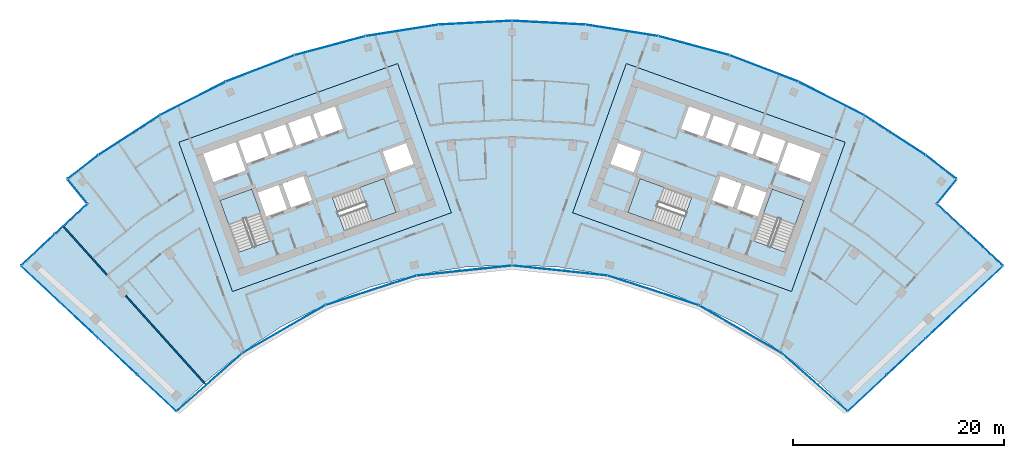
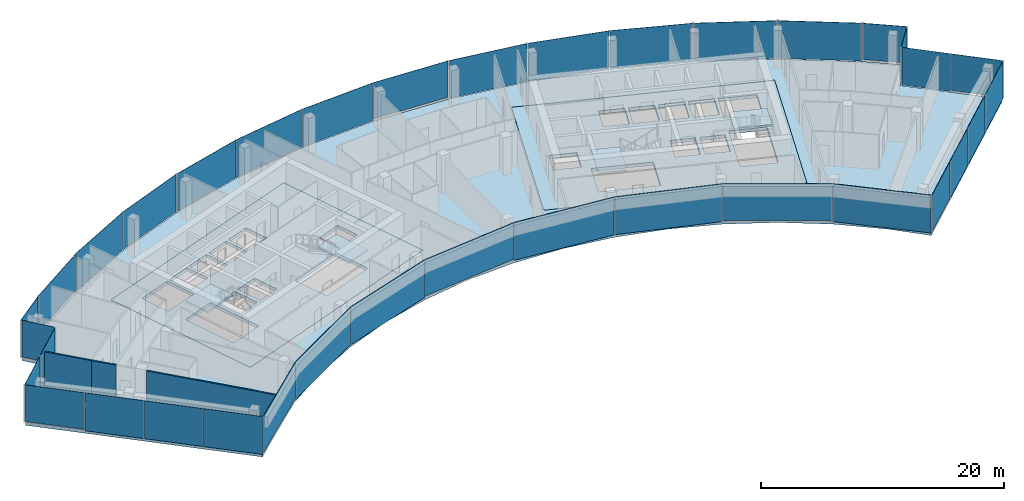
# One storey, part 11 of 18: 36 plates, 7 slabs, 3 walls, 12 elements without a shape of their own.
"""IFC4 building model written with IfcOpenShell, lengths in metres."""

from ifc_helpers import new_model, si_unit, direction, frame, frame_2d, origin, origin_2d, place, context, subcontext, project, spatial, polyline, rectangle, outline, extrude, material, layer, layer_set, type_object, element, aggregate, save


model = new_model("IFC4")

# Units and contexts
model_context = context("Model", 3, precision=1e-05, world=origin(), true_north=direction((0.0, 1.0)))
body_context = subcontext(model_context, "Body", "Model", "MODEL_VIEW")
ifc_project = project(units=[si_unit("LENGTHUNIT", "METRE"), si_unit("AREAUNIT", "SQUARE_METRE"), si_unit("VOLUMEUNIT", "CUBIC_METRE"), si_unit("PLANEANGLEUNIT", "RADIAN"), si_unit("MASSUNIT", "GRAM", prefix="KILO")], contexts=[model_context])

# Site, building, storey
site_placement = place(None, origin())
site = spatial("IfcSite", under=ifc_project, at=site_placement, CompositionType="ELEMENT")
building_placement = place(site_placement, origin())
building = spatial("IfcBuilding", under=site, at=building_placement, Name="Stone Belt Terrace Tower", CompositionType="ELEMENT")
storey_placement = place(building_placement, frame((0.0, 0.0, 284.60009765625)))
storey = spatial("IfcBuildingStorey", under=building, at=storey_placement, Name="L69", CompositionType="ELEMENT", Elevation=284.60009765625)

# Curtain wall, plates
ifc_material_1 = material(Name="Aluminium 6063-T6 anodised frame", Category="aluminium")
ifc_layer_1 = layer(ifc_material_1, 0.14990234375)
ifc_layer_set_1 = layer_set([ifc_layer_1], Name="CW-A unitised convex-face curtain wall")
curtain_wall_type_1 = type_object("IfcCurtainWallType", Name="CW-A unitised convex-face curtain wall", PredefinedType="NOTDEFINED", material=ifc_layer_set_1)
curtain_wall_1_placement = place(storey_placement, origin())
curtain_wall_1 = element("IfcCurtainWall", 1, at=curtain_wall_1_placement, inside=storey, type_object=curtain_wall_type_1, Name="CW-A convex face L69", PredefinedType="NOTDEFINED")
ifc_material_2 = material(Name="Clear double glazed unit")
ifc_layer_2 = layer(ifc_material_2, 0.031982421875)
ifc_layer_set_2 = layer_set([ifc_layer_2], Name="CW-A glass panel 32")
plate_type_1 = type_object("IfcPlateType", Name="CW-A glass panel 32", PredefinedType="CURTAIN_PANEL", material=ifc_layer_set_2)
plate_1_placement = place(storey_placement, frame((40.583251953125, 52.744140625, 0.14013671875), z_axis=(0.0, 0.0, 1.0), x_axis=(-0.792693871824, 0.60961990254, 0.0)))
plate_1 = element("IfcPlate", 2, at=plate_1_placement, type_object=plate_type_1, Name="CW-A panel 1.1", PredefinedType="CURTAIN_PANEL", context=body_context, shape_type="SweptSolid", body=[
    extrude(rectangle(XDim=3.597900390625, YDim=0.031982421875, at=origin_2d()), origin(), (0.0, 0.0, 1.0), 3.659912109375),
])
plate_2_placement = place(storey_placement, frame((36.209716796875, 55.758056640625, 0.0), z_axis=(0.0, 0.0, 1.0), x_axis=(-0.838670567945, 0.544639035015, 0.0)))
plate_2 = element("IfcPlate", 3, at=plate_2_placement, type_object=plate_type_1, Name="CW-A panel 2.1", PredefinedType="CURTAIN_PANEL", context=body_context, shape_type="SweptSolid", body=[
    extrude(rectangle(XDim=6.900634765625, YDim=0.031982421875, at=origin_2d()), origin(), (0.0, 0.0, 1.0), 3.800048828125),
])
plate_3_placement = place(storey_placement, frame((30.18310546875, 59.237548828125, 0.0), z_axis=(0.0, 0.0, 1.0), x_axis=(-0.891006524188, 0.45399049974, 0.0)))
plate_3 = element("IfcPlate", 4, at=plate_3_placement, type_object=plate_type_1, Name="CW-A panel 3.1", PredefinedType="CURTAIN_PANEL", context=body_context, shape_type="SweptSolid", body=[
    extrude(rectangle(XDim=6.90087890625, YDim=0.031982421875, at=origin_2d()), origin(), (0.0, 0.0, 1.0), 3.800048828125),
])
plate_4_placement = place(storey_placement, frame((23.82568359375, 62.068115234375, 0.0), z_axis=(0.0, 0.0, 1.0), x_axis=(-0.933580426497, 0.358367949545, 0.0)))
plate_4 = element("IfcPlate", 5, at=plate_4_placement, type_object=plate_type_1, Name="CW-A panel 4.1", PredefinedType="CURTAIN_PANEL", context=body_context, shape_type="SweptSolid", body=[
    extrude(rectangle(XDim=6.90087890625, YDim=0.031982421875, at=origin_2d()), origin(), (0.0, 0.0, 1.0), 3.800048828125),
])
plate_5_placement = place(storey_placement, frame((17.207275390625, 64.218505859375, 0.0), z_axis=(0.0, 0.0, 1.0), x_axis=(-0.965925826289, 0.258819045103, 0.0)))
plate_5 = element("IfcPlate", 6, at=plate_5_placement, type_object=plate_type_1, Name="CW-A panel 5.1", PredefinedType="CURTAIN_PANEL", context=body_context, shape_type="SweptSolid", body=[
    extrude(rectangle(XDim=6.90087890625, YDim=0.031982421875, at=origin_2d()), origin(), (0.0, 0.0, 1.0), 3.800048828125),
])
plate_6_placement = place(storey_placement, frame((10.400390625, 65.665283203125, 0.0), z_axis=(0.0, 0.0, 1.0), x_axis=(-0.987688340595, 0.15643446504, 0.0)))
plate_6 = element("IfcPlate", 7, at=plate_6_placement, type_object=plate_type_1, Name="CW-A panel 6.1", PredefinedType="CURTAIN_PANEL", context=body_context, shape_type="SweptSolid", body=[
    extrude(rectangle(XDim=6.90087890625, YDim=0.031982421875, at=origin_2d()), origin(), (0.0, 0.0, 1.0), 3.800048828125),
])
plate_7_placement = place(storey_placement, frame((3.4794921875, 66.392822265625, 0.14013671875), z_axis=(0.0, 0.0, 1.0), x_axis=(-0.998629534755, 0.052335956243, 0.0)))
plate_7 = element("IfcPlate", 8, at=plate_7_placement, type_object=plate_type_1, Name="CW-A panel 7.1", PredefinedType="CURTAIN_PANEL", context=body_context, shape_type="SweptSolid", body=[
    extrude(rectangle(XDim=6.90087890625, YDim=0.031982421875, at=origin_2d()), origin(), (0.0, 0.0, 1.0), 3.659912109375),
])
plate_8_placement = place(storey_placement, frame((-3.4794921875, 66.392822265625, 0.0), z_axis=(0.0, 0.0, 1.0), x_axis=(-0.998629534755, -0.052335956243, 0.0)))
plate_8 = element("IfcPlate", 9, at=plate_8_placement, type_object=plate_type_1, Name="CW-A panel 8.1", PredefinedType="CURTAIN_PANEL", context=body_context, shape_type="SweptSolid", body=[
    extrude(rectangle(XDim=6.90087890625, YDim=0.031982421875, at=origin_2d()), origin(), (0.0, 0.0, 1.0), 3.800048828125),
])
plate_9_placement = place(storey_placement, frame((-10.400390625, 65.665283203125, 0.0), z_axis=(0.0, 0.0, 1.0), x_axis=(-0.987688340595, -0.15643446504, 0.0)))
plate_9 = element("IfcPlate", 10, at=plate_9_placement, type_object=plate_type_1, Name="CW-A panel 9.1", PredefinedType="CURTAIN_PANEL", context=body_context, shape_type="SweptSolid", body=[
    extrude(rectangle(XDim=6.90087890625, YDim=0.031982421875, at=origin_2d()), origin(), (0.0, 0.0, 1.0), 3.800048828125),
])
plate_10_placement = place(storey_placement, frame((-17.207275390625, 64.218505859375, 0.0), z_axis=(0.0, 0.0, 1.0), x_axis=(-0.965925826289, -0.258819045103, 0.0)))
plate_10 = element("IfcPlate", 11, at=plate_10_placement, type_object=plate_type_1, Name="CW-A panel 10.1", PredefinedType="CURTAIN_PANEL", context=body_context, shape_type="SweptSolid", body=[
    extrude(rectangle(XDim=6.90087890625, YDim=0.031982421875, at=origin_2d()), origin(), (0.0, 0.0, 1.0), 3.800048828125),
])
plate_11_placement = place(storey_placement, frame((-23.82568359375, 62.068115234375, 0.0), z_axis=(0.0, 0.0, 1.0), x_axis=(-0.933580426497, -0.358367949545, 0.0)))
plate_11 = element("IfcPlate", 12, at=plate_11_placement, type_object=plate_type_1, Name="CW-A panel 11.1", PredefinedType="CURTAIN_PANEL", context=body_context, shape_type="SweptSolid", body=[
    extrude(rectangle(XDim=6.90087890625, YDim=0.031982421875, at=origin_2d()), origin(), (0.0, 0.0, 1.0), 3.800048828125),
])
plate_12_placement = place(storey_placement, frame((-30.18310546875, 59.237548828125, 0.0), z_axis=(0.0, 0.0, 1.0), x_axis=(-0.891006524188, -0.45399049974, 0.0)))
plate_12 = element("IfcPlate", 13, at=plate_12_placement, type_object=plate_type_1, Name="CW-A panel 12.1", PredefinedType="CURTAIN_PANEL", context=body_context, shape_type="SweptSolid", body=[
    extrude(rectangle(XDim=6.90087890625, YDim=0.031982421875, at=origin_2d()), origin(), (0.0, 0.0, 1.0), 3.800048828125),
])
plate_13_placement = place(storey_placement, frame((-36.209716796875, 55.758056640625, 0.14013671875), z_axis=(0.0, 0.0, 1.0), x_axis=(-0.838670567945, -0.544639035015, 0.0)))
plate_13 = element("IfcPlate", 14, at=plate_13_placement, type_object=plate_type_1, Name="CW-A panel 13.1", PredefinedType="CURTAIN_PANEL", context=body_context, shape_type="SweptSolid", body=[
    extrude(rectangle(XDim=6.900634765625, YDim=0.031982421875, at=origin_2d()), origin(), (0.0, 0.0, 1.0), 3.659912109375),
])
plate_14_placement = place(storey_placement, frame((-40.583251953125, 52.744140625, 0.0), z_axis=(0.0, 0.0, 1.0), x_axis=(-0.792693871824, -0.60961990254, 0.0)))
plate_14 = element("IfcPlate", 15, at=plate_14_placement, type_object=plate_type_1, Name="CW-A panel 14.1", PredefinedType="CURTAIN_PANEL", context=body_context, shape_type="SweptSolid", body=[
    extrude(rectangle(XDim=3.597900390625, YDim=0.031982421875, at=origin_2d()), origin(), (0.0, 0.0, 1.0), 3.800048828125),
])
aggregate(curtain_wall_1, [plate_1, plate_2, plate_3, plate_4, plate_5, plate_6, plate_7, plate_8, plate_9, plate_10, plate_11, plate_12, plate_13, plate_14])

ifc_layer_3 = layer(ifc_material_1, 0.14990234375)
ifc_layer_set_3 = layer_set([ifc_layer_3], Name="CW-B unitised concave-face curtain wall")
curtain_wall_type_2 = type_object("IfcCurtainWallType", Name="CW-B unitised concave-face curtain wall", PredefinedType="NOTDEFINED", material=ifc_layer_set_3)
curtain_wall_2_placement = place(storey_placement, origin())
curtain_wall_2 = element("IfcCurtainWall", 16, at=curtain_wall_2_placement, inside=storey, type_object=curtain_wall_type_2, Name="CW-B concave face L69", PredefinedType="NOTDEFINED")
ifc_layer_4 = layer(ifc_material_2, 0.030029296875)
ifc_layer_set_4 = layer_set([ifc_layer_4], Name="CW-B glass panel 30")
plate_type_2 = type_object("IfcPlateType", Name="CW-B glass panel 30", PredefinedType="CURTAIN_PANEL", material=ifc_layer_set_4)
plate_15_placement = place(storey_placement, frame((-28.624755859375, 32.39404296875, 0.1201171875), z_axis=(0.0, 0.0, 1.0), x_axis=(0.749658646805, 0.661824684694, 0.0)))
plate_15 = element("IfcPlate", 17, at=plate_15_placement, type_object=plate_type_2, Name="CW-B panel 1.1", PredefinedType="CURTAIN_PANEL", context=body_context, shape_type="SweptSolid", body=[
    extrude(rectangle(XDim=8.2060546875, YDim=0.030029296875, at=origin_2d()), origin(), (0.0, 0.0, 1.0), 3.679931640625),
])
plate_16_placement = place(storey_placement, frame((-21.59375, 37.400634765625, 0.0), z_axis=(0.0, 0.0, 1.0), x_axis=(0.866025403784, 0.5, 0.0)))
plate_16 = element("IfcPlate", 18, at=plate_16_placement, type_object=plate_type_2, Name="CW-B panel 2.1", PredefinedType="CURTAIN_PANEL", context=body_context, shape_type="SweptSolid", body=[
    extrude(rectangle(XDim=9.013427734375, YDim=0.030029296875, at=origin_2d()), origin(), (0.0, 0.0, 1.0), 3.800048828125),
])
plate_17_placement = place(storey_placement, frame((-13.345458984375, 41.072998046875, 0.0), z_axis=(0.0, 0.0, 1.0), x_axis=(0.951056516295, 0.309016994375, 0.0)))
plate_17 = element("IfcPlate", 19, at=plate_17_placement, type_object=plate_type_2, Name="CW-B panel 3.1", PredefinedType="CURTAIN_PANEL", context=body_context, shape_type="SweptSolid", body=[
    extrude(rectangle(XDim=9.0126953125, YDim=0.030029296875, at=origin_2d()), origin(), (0.0, 0.0, 1.0), 3.800048828125),
])
plate_18_placement = place(storey_placement, frame((-4.51416015625, 42.9501953125, 0.1201171875), z_axis=(0.0, 0.0, 1.0), x_axis=(0.994521895368, 0.104528463268, 0.0)))
plate_18 = element("IfcPlate", 20, at=plate_18_placement, type_object=plate_type_2, Name="CW-B panel 4.1", PredefinedType="CURTAIN_PANEL", context=body_context, shape_type="SweptSolid", body=[
    extrude(rectangle(XDim=9.0126953125, YDim=0.030029296875, at=origin_2d()), origin(), (0.0, 0.0, 1.0), 3.679931640625),
])
plate_19_placement = place(storey_placement, frame((4.51416015625, 42.9501953125, 0.0), z_axis=(0.0, 0.0, 1.0), x_axis=(0.994521895368, -0.104528463268, 0.0)))
plate_19 = element("IfcPlate", 21, at=plate_19_placement, type_object=plate_type_2, Name="CW-B panel 5.1", PredefinedType="CURTAIN_PANEL", context=body_context, shape_type="SweptSolid", body=[
    extrude(rectangle(XDim=9.0126953125, YDim=0.030029296875, at=origin_2d()), origin(), (0.0, 0.0, 1.0), 3.800048828125),
])
plate_20_placement = place(storey_placement, frame((13.345458984375, 41.072998046875, 0.0), z_axis=(0.0, 0.0, 1.0), x_axis=(0.951056516295, -0.309016994375, 0.0)))
plate_20 = element("IfcPlate", 22, at=plate_20_placement, type_object=plate_type_2, Name="CW-B panel 6.1", PredefinedType="CURTAIN_PANEL", context=body_context, shape_type="SweptSolid", body=[
    extrude(rectangle(XDim=9.0126953125, YDim=0.030029296875, at=origin_2d()), origin(), (0.0, 0.0, 1.0), 3.800048828125),
])
plate_21_placement = place(storey_placement, frame((21.59375, 37.400634765625, 0.1201171875), z_axis=(0.0, 0.0, 1.0), x_axis=(0.866025403784, -0.5, 0.0)))
plate_21 = element("IfcPlate", 23, at=plate_21_placement, type_object=plate_type_2, Name="CW-B panel 7.1", PredefinedType="CURTAIN_PANEL", context=body_context, shape_type="SweptSolid", body=[
    extrude(rectangle(XDim=9.013427734375, YDim=0.030029296875, at=origin_2d()), origin(), (0.0, 0.0, 1.0), 3.679931640625),
])
plate_22_placement = place(storey_placement, frame((28.624755859375, 32.39404296875, 0.0), z_axis=(0.0, 0.0, 1.0), x_axis=(0.749658646805, -0.661824684694, 0.0)))
plate_22 = element("IfcPlate", 24, at=plate_22_placement, type_object=plate_type_2, Name="CW-B panel 8.1", PredefinedType="CURTAIN_PANEL", context=body_context, shape_type="SweptSolid", body=[
    extrude(rectangle(XDim=8.2060546875, YDim=0.030029296875, at=origin_2d()), origin(), (0.0, 0.0, 1.0), 3.800048828125),
])
aggregate(curtain_wall_2, [plate_15, plate_16, plate_17, plate_18, plate_19, plate_20, plate_21, plate_22])

ifc_layer_5 = layer(ifc_material_1, 0.14990234375)
ifc_layer_set_5 = layer_set([ifc_layer_5], Name="CW-C stick curtain wall, horn ends and notches")
curtain_wall_type_3 = type_object("IfcCurtainWallType", Name="CW-C stick curtain wall, horn ends and notches", PredefinedType="NOTDEFINED", material=ifc_layer_set_5)
curtain_wall_3_placement = place(storey_placement, origin())
curtain_wall_3 = element("IfcCurtainWall", 25, at=curtain_wall_3_placement, inside=storey, type_object=curtain_wall_type_3, Name="CW-C end face L69", PredefinedType="NOTDEFINED")
ifc_layer_6 = layer(ifc_material_2, 0.028076171875)
ifc_layer_set_6 = layer_set([ifc_layer_6], Name="CW-C glass panel 28")
plate_type_3 = type_object("IfcPlateType", Name="CW-C glass panel 28", PredefinedType="CURTAIN_PANEL", material=ifc_layer_set_6)
plate_23_placement = place(storey_placement, frame((33.617431640625, 31.3798828125, 0.1201171875), z_axis=(0.0, 0.0, 1.0), x_axis=(0.729904219708, 0.683549434973, 0.0)))
plate_23 = element("IfcPlate", 26, at=plate_23_placement, type_object=plate_type_3, Name="CW-C panel 1.1", PredefinedType="CURTAIN_PANEL", context=body_context, shape_type="SweptSolid", body=[
    extrude(rectangle(XDim=4.965576171875, YDim=0.028076171875, at=origin_2d()), origin(), (0.0, 0.0, 1.0), 3.679931640625),
])
plate_24_placement = place(storey_placement, frame((37.2763671875, 34.806396484375, 0.0), z_axis=(0.0, 0.0, 1.0), x_axis=(0.729904219708, 0.683549434973, 0.0)))
plate_24 = element("IfcPlate", 27, at=plate_24_placement, type_object=plate_type_3, Name="CW-C panel 2.1", PredefinedType="CURTAIN_PANEL", context=body_context, shape_type="SweptSolid", body=[
    extrude(rectangle(XDim=4.93994140625, YDim=0.028076171875, at=origin_2d()), origin(), (0.0, 0.0, 1.0), 3.800048828125),
])
plate_25_placement = place(storey_placement, frame((40.92578125, 38.22412109375, 0.0), z_axis=(0.0, 0.0, 1.0), x_axis=(0.729904219708, 0.683549434973, 0.0)))
plate_25 = element("IfcPlate", 28, at=plate_25_placement, type_object=plate_type_3, Name="CW-C panel 3.1", PredefinedType="CURTAIN_PANEL", context=body_context, shape_type="SweptSolid", body=[
    extrude(rectangle(XDim=4.93994140625, YDim=0.028076171875, at=origin_2d()), origin(), (0.0, 0.0, 1.0), 3.800048828125),
])
plate_26_placement = place(storey_placement, frame((44.588134765625, 41.65380859375, 0.0), z_axis=(0.0, 0.0, 1.0), x_axis=(0.729904219708, 0.683549434973, 0.0)))
plate_26 = element("IfcPlate", 29, at=plate_26_placement, type_object=plate_type_3, Name="CW-C panel 4.1", PredefinedType="CURTAIN_PANEL", context=body_context, shape_type="SweptSolid", body=[
    extrude(rectangle(XDim=4.974853515625, YDim=0.028076171875, at=origin_2d()), origin(), (0.0, 0.0, 1.0), 3.800048828125),
])
aggregate(curtain_wall_3, [plate_23, plate_24, plate_25, plate_26])

curtain_wall_4_placement = place(storey_placement, origin())
curtain_wall_4 = element("IfcCurtainWall", 30, at=curtain_wall_4_placement, inside=storey, type_object=curtain_wall_type_3, Name="CW-C notch face L69", PredefinedType="NOTDEFINED")
plate_27_placement = place(storey_placement, frame((44.8427734375, 44.91259765625, 0.1201171875), z_axis=(0.0, 0.0, 1.0), x_axis=(-0.731339333871, 0.682013767261, 0.0)))
plate_27 = element("IfcPlate", 31, at=plate_27_placement, type_object=plate_type_3, Name="CW-C panel 1.1", PredefinedType="CURTAIN_PANEL", context=body_context, shape_type="SweptSolid", body=[
    extrude(rectangle(XDim=4.268798828125, YDim=0.028076171875, at=origin_2d()), origin(), (0.0, 0.0, 1.0), 3.679931640625),
])
plate_28_placement = place(storey_placement, frame((41.731201171875, 47.814208984375, 0.0), z_axis=(0.0, 0.0, 1.0), x_axis=(-0.731339333871, 0.682013767261, 0.0)))
plate_28 = element("IfcPlate", 32, at=plate_28_placement, type_object=plate_type_3, Name="CW-C panel 2.1", PredefinedType="CURTAIN_PANEL", context=body_context, shape_type="SweptSolid", body=[
    extrude(rectangle(XDim=4.12060546875, YDim=0.028076171875, at=origin_2d()), origin(), (0.0, 0.0, 1.0), 3.800048828125),
])
aggregate(curtain_wall_4, [plate_27, plate_28])

# Curtain wall, plate
curtain_wall_5_placement = place(storey_placement, origin())
curtain_wall_5 = element("IfcCurtainWall", 33, at=curtain_wall_5_placement, inside=storey, type_object=curtain_wall_type_3, Name="CW-C notch face L69", PredefinedType="NOTDEFINED")
plate_29_placement = place(storey_placement, frame((41.119140625, 50.43505859375, 0.1201171875), z_axis=(0.0, 0.0, 1.0), x_axis=(0.631001485542, 0.775781622136, 0.0)))
plate_29 = element("IfcPlate", 34, at=plate_29_placement, type_object=plate_type_3, Name="CW-C panel 1.1", PredefinedType="CURTAIN_PANEL", context=body_context, shape_type="SweptSolid", body=[
    extrude(rectangle(XDim=2.859130859375, YDim=0.028076171875, at=origin_2d()), origin(), (0.0, 0.0, 1.0), 3.679931640625),
])
aggregate(curtain_wall_5, [plate_29])

curtain_wall_6_placement = place(storey_placement, origin())
curtain_wall_6 = element("IfcCurtainWall", 35, at=curtain_wall_6_placement, inside=storey, type_object=curtain_wall_type_3, Name="CW-C notch face L69", PredefinedType="NOTDEFINED")
plate_30_placement = place(storey_placement, frame((-41.119140625, 50.43505859375, 0.1201171875), z_axis=(0.0, 0.0, 1.0), x_axis=(0.631001485542, -0.775781622136, 0.0)))
plate_30 = element("IfcPlate", 36, at=plate_30_placement, type_object=plate_type_3, Name="CW-C panel 1.1", PredefinedType="CURTAIN_PANEL", context=body_context, shape_type="SweptSolid", body=[
    extrude(rectangle(XDim=2.859130859375, YDim=0.028076171875, at=origin_2d()), origin(), (0.0, 0.0, 1.0), 3.679931640625),
])
aggregate(curtain_wall_6, [plate_30])

# Curtain wall, plates
curtain_wall_7_placement = place(storey_placement, origin())
curtain_wall_7 = element("IfcCurtainWall", 37, at=curtain_wall_7_placement, inside=storey, type_object=curtain_wall_type_3, Name="CW-C notch face L69", PredefinedType="NOTDEFINED")
plate_31_placement = place(storey_placement, frame((-41.731201171875, 47.814208984375, 0.1201171875), z_axis=(0.0, 0.0, 1.0), x_axis=(-0.731339333871, -0.682013767261, 0.0)))
plate_31 = element("IfcPlate", 38, at=plate_31_placement, type_object=plate_type_3, Name="CW-C panel 1.1", PredefinedType="CURTAIN_PANEL", context=body_context, shape_type="SweptSolid", body=[
    extrude(rectangle(XDim=4.12060546875, YDim=0.028076171875, at=origin_2d()), origin(), (0.0, 0.0, 1.0), 3.679931640625),
])
plate_32_placement = place(storey_placement, frame((-44.8427734375, 44.91259765625, 0.0), z_axis=(0.0, 0.0, 1.0), x_axis=(-0.731339333871, -0.682013767261, 0.0)))
plate_32 = element("IfcPlate", 39, at=plate_32_placement, type_object=plate_type_3, Name="CW-C panel 2.1", PredefinedType="CURTAIN_PANEL", context=body_context, shape_type="SweptSolid", body=[
    extrude(rectangle(XDim=4.268798828125, YDim=0.028076171875, at=origin_2d()), origin(), (0.0, 0.0, 1.0), 3.800048828125),
])
aggregate(curtain_wall_7, [plate_31, plate_32])

curtain_wall_8_placement = place(storey_placement, origin())
curtain_wall_8 = element("IfcCurtainWall", 40, at=curtain_wall_8_placement, inside=storey, type_object=curtain_wall_type_3, Name="CW-C end face L69", PredefinedType="NOTDEFINED")
plate_33_placement = place(storey_placement, frame((-44.588134765625, 41.65380859375, 0.1201171875), z_axis=(0.0, 0.0, 1.0), x_axis=(0.729904219708, -0.683549434973, 0.0)))
plate_33 = element("IfcPlate", 41, at=plate_33_placement, type_object=plate_type_3, Name="CW-C panel 1.1", PredefinedType="CURTAIN_PANEL", context=body_context, shape_type="SweptSolid", body=[
    extrude(rectangle(XDim=4.974853515625, YDim=0.028076171875, at=origin_2d()), origin(), (0.0, 0.0, 1.0), 3.679931640625),
])
plate_34_placement = place(storey_placement, frame((-40.92578125, 38.22412109375, 0.0), z_axis=(0.0, 0.0, 1.0), x_axis=(0.729904219708, -0.683549434973, 0.0)))
plate_34 = element("IfcPlate", 42, at=plate_34_placement, type_object=plate_type_3, Name="CW-C panel 2.1", PredefinedType="CURTAIN_PANEL", context=body_context, shape_type="SweptSolid", body=[
    extrude(rectangle(XDim=4.93994140625, YDim=0.028076171875, at=origin_2d()), origin(), (0.0, 0.0, 1.0), 3.800048828125),
])
plate_35_placement = place(storey_placement, frame((-37.2763671875, 34.806396484375, 0.0), z_axis=(0.0, 0.0, 1.0), x_axis=(0.729904219708, -0.683549434973, 0.0)))
plate_35 = element("IfcPlate", 43, at=plate_35_placement, type_object=plate_type_3, Name="CW-C panel 3.1", PredefinedType="CURTAIN_PANEL", context=body_context, shape_type="SweptSolid", body=[
    extrude(rectangle(XDim=4.93994140625, YDim=0.028076171875, at=origin_2d()), origin(), (0.0, 0.0, 1.0), 3.800048828125),
])
plate_36_placement = place(storey_placement, frame((-33.617431640625, 31.3798828125, 0.0), z_axis=(0.0, 0.0, 1.0), x_axis=(0.729904219708, -0.683549434973, 0.0)))
plate_36 = element("IfcPlate", 44, at=plate_36_placement, type_object=plate_type_3, Name="CW-C panel 4.1", PredefinedType="CURTAIN_PANEL", context=body_context, shape_type="SweptSolid", body=[
    extrude(rectangle(XDim=4.965576171875, YDim=0.028076171875, at=origin_2d()), origin(), (0.0, 0.0, 1.0), 3.800048828125),
])
aggregate(curtain_wall_8, [plate_33, plate_34, plate_35, plate_36])

# Slabs
ifc_material_3 = material(Name="Concrete B40", Category="concrete")
ifc_layer_7 = layer(ifc_material_3, 0.320068359375)
ifc_layer_set_7 = layer_set([ifc_layer_7], Name="Core floor slab 320")
slab_type_1 = type_object("IfcSlabType", Name="Core floor slab 320", PredefinedType="FLOOR", material=ifc_layer_set_7)
slab_1_placement = place(storey_placement, frame((0.0, 0.0, -0.320068359375)))
element("IfcSlab", 45, at=slab_1_placement, inside=storey, type_object=slab_type_1, Name="Core A floor L69", PredefinedType="FLOOR", context=body_context, shape_type="SweptSolid", body=[
    extrude(outline(polyline([(-26.43505859375, 40.968994140625), (-5.735107421875, 48.4189453125), (-10.81396484375, 62.531982421875), (-31.513916015625, 55.0830078125), (-26.43505859375, 40.968994140625)]), holes=[polyline([(-24.60791015625, 50.659912109375), (-22.847900390625, 45.76806640625), (-25.85888671875, 44.68408203125), (-27.618896484375, 49.575927734375), (-24.60791015625, 50.659912109375)]), polyline([(-10.955078125, 48.452880859375), (-15.846923828125, 46.69189453125), (-16.998046875, 49.89208984375), (-12.10595703125, 51.652099609375), (-10.955078125, 48.452880859375)]), polyline([(-22.0869140625, 51.035888671875), (-21.27392578125, 48.778076171875), (-23.25, 48.06689453125), (-24.06298828125, 50.324951171875), (-22.0869140625, 51.035888671875)]), polyline([(-18.922119140625, 49.6240234375), (-20.89794921875, 48.9130859375), (-21.7109375, 51.1708984375), (-19.735107421875, 51.883056640625), (-18.922119140625, 49.6240234375)]), polyline([(-29.2109375, 53.9990234375), (-26.153076171875, 55.09912109375), (-25.18798828125, 52.41796875), (-28.24609375, 51.31689453125), (-29.2109375, 53.9990234375)]), polyline([(-10.01904296875, 55.007080078125), (-9.30810546875, 53.031005859375), (-11.51904296875, 52.235107421875), (-12.22998046875, 54.2109375), (-10.01904296875, 55.007080078125)]), polyline([(-25.87109375, 55.200927734375), (-23.801025390625, 55.946044921875), (-23.0390625, 53.8291015625), (-25.10888671875, 53.083984375), (-25.87109375, 55.200927734375)]), polyline([(-23.51806640625, 56.047119140625), (-21.447998046875, 56.7919921875), (-20.68603515625, 54.675048828125), (-22.756103515625, 53.929931640625), (-23.51806640625, 56.047119140625)]), polyline([(-19.095947265625, 57.638916015625), (-18.333984375, 55.52197265625), (-20.404052734375, 54.777099609375), (-21.166015625, 56.89404296875), (-19.095947265625, 57.638916015625)]), polyline([(-16.743896484375, 58.485107421875), (-15.98193359375, 56.367919921875), (-18.052001953125, 55.623046875), (-18.81396484375, 57.739990234375), (-16.743896484375, 58.485107421875)])]), origin(), (0.0, 0.0, 1.0), 0.320068359375),
])
slab_2_placement = place(storey_placement, frame((0.0, 0.0, -0.320068359375)))
element("IfcSlab", 46, at=slab_2_placement, inside=storey, type_object=slab_type_1, Name="Core B floor L69", PredefinedType="FLOOR", context=body_context, shape_type="SweptSolid", body=[
    extrude(outline(polyline([(26.43505859375, 40.968994140625), (31.513916015625, 55.0830078125), (10.81396484375, 62.531982421875), (5.735107421875, 48.4189453125), (26.43505859375, 40.968994140625)]), holes=[polyline([(27.618896484375, 49.575927734375), (25.85888671875, 44.68408203125), (22.847900390625, 45.76806640625), (24.60791015625, 50.659912109375), (27.618896484375, 49.575927734375)]), polyline([(12.10595703125, 51.652099609375), (16.998046875, 49.89208984375), (15.846923828125, 46.69189453125), (10.955078125, 48.452880859375), (12.10595703125, 51.652099609375)]), polyline([(23.25, 48.06689453125), (21.27392578125, 48.778076171875), (22.0869140625, 51.035888671875), (24.06298828125, 50.324951171875), (23.25, 48.06689453125)]), polyline([(18.922119140625, 49.6240234375), (19.735107421875, 51.883056640625), (21.7109375, 51.1708984375), (20.89794921875, 48.9130859375), (18.922119140625, 49.6240234375)]), polyline([(29.2109375, 53.9990234375), (28.24609375, 51.31689453125), (25.18798828125, 52.41796875), (26.153076171875, 55.09912109375), (29.2109375, 53.9990234375)]), polyline([(11.51904296875, 52.235107421875), (9.30810546875, 53.031005859375), (10.01904296875, 55.007080078125), (12.22998046875, 54.2109375), (11.51904296875, 52.235107421875)]), polyline([(23.0390625, 53.8291015625), (23.801025390625, 55.946044921875), (25.87109375, 55.200927734375), (25.10888671875, 53.083984375), (23.0390625, 53.8291015625)]), polyline([(20.68603515625, 54.675048828125), (21.447998046875, 56.7919921875), (23.51806640625, 56.047119140625), (22.756103515625, 53.929931640625), (20.68603515625, 54.675048828125)]), polyline([(19.095947265625, 57.638916015625), (21.166015625, 56.89404296875), (20.404052734375, 54.777099609375), (18.333984375, 55.52197265625), (19.095947265625, 57.638916015625)]), polyline([(16.743896484375, 58.485107421875), (18.81396484375, 57.739990234375), (18.052001953125, 55.623046875), (15.98193359375, 56.367919921875), (16.743896484375, 58.485107421875)])]), origin(), (0.0, 0.0, 1.0), 0.320068359375),
])
ifc_layer_8 = layer(ifc_material_3, 0.320068359375)
ifc_layer_set_8 = layer_set([ifc_layer_8], Name="Floor slab 320 B40")
slab_type_2 = type_object("IfcSlabType", Name="Floor slab 320 B40", PredefinedType="FLOOR", material=ifc_layer_set_8)
slab_3_placement = place(storey_placement, frame((0.0, 0.0, -0.320068359375)))
element("IfcSlab", 47, at=slab_3_placement, inside=storey, type_object=slab_type_2, Name="Floor slab L69", PredefinedType="FLOOR", context=body_context, shape_type="SweptSolid", body=[
    extrude(outline(polyline([(-40.068603515625, 49.26220703125), (-41.961669921875, 51.589599609375), (-39.087646484375, 53.799560546875), (-33.25, 57.5908203125), (-27.048095703125, 60.750732421875), (-20.549560546875, 63.245361328125), (-13.826171875, 65.046875), (-6.951171875, 66.1357421875), (0.0, 66.5), (6.951171875, 66.1357421875), (13.826171875, 65.046875), (20.549560546875, 63.245361328125), (27.048095703125, 60.750732421875), (33.25, 57.5908203125), (39.087646484375, 53.799560546875), (41.961669921875, 51.589599609375), (40.068603515625, 49.26220703125), (46.348876953125, 43.405517578125), (31.750732421875, 29.734375), (29.107177734375, 32.326904296875), (25.568603515625, 35.192138671875), (21.75, 37.672119140625), (17.693115234375, 39.7392578125), (13.442138671875, 41.37109375), (9.044189453125, 42.54931640625), (4.547119140625, 43.26171875), (0.0, 43.5), (-4.547119140625, 43.26171875), (-9.044189453125, 42.54931640625), (-13.442138671875, 41.37109375), (-17.693115234375, 39.7392578125), (-21.75, 37.672119140625), (-25.568603515625, 35.192138671875), (-29.107177734375, 32.326904296875), (-31.750732421875, 29.734375), (-46.348876953125, 43.405517578125), (-40.068603515625, 49.26220703125)]), holes=[polyline([(-10.81396484375, 62.532470703125), (-31.51416015625, 55.082763671875), (-26.434814453125, 40.968994140625), (-5.734619140625, 48.418701171875), (-10.81396484375, 62.532470703125)]), polyline([(26.434814453125, 40.968994140625), (31.51416015625, 55.082763671875), (10.81396484375, 62.532470703125), (5.734619140625, 48.418701171875), (26.434814453125, 40.968994140625)])]), origin(), (0.0, 0.0, 1.0), 0.320068359375),
])

# Stair, slab
stair_type = type_object("IfcStairType", Name="Exit stair 1500", PredefinedType="HALF_TURN_STAIR", material=ifc_material_3)
stair_1_placement = place(storey_placement, origin())
stair_1 = element("IfcStair", 48, at=stair_1_placement, inside=storey, type_object=stair_type, Name="L69 Exit stair 1 core A", PredefinedType="HALF_TURN_STAIR")
ifc_layer_9 = layer(ifc_material_3, 0.199951171875)
ifc_layer_set_9 = layer_set([ifc_layer_9], Name="Stair landing 200")
slab_type_3 = type_object("IfcSlabType", Name="Stair landing 200", PredefinedType="LANDING", material=ifc_layer_set_9)
slab_4_placement = place(storey_placement, frame((0.0, 0.0, 1.699951171875)))
slab_4 = element("IfcSlab", 49, at=slab_4_placement, type_object=slab_type_3, Name="ST1A landing 1", PredefinedType="LANDING", context=body_context, shape_type="SweptSolid", body=[
    extrude(outline(polyline([(-23.79541015625, 48.40087890625), (-24.6083984375, 50.659912109375), (-27.619384765625, 49.576171875), (-26.806396484375, 47.3173828125), (-23.79541015625, 48.40087890625)])), origin(), (0.0, 0.0, 1.0), 0.199951171875),
])
aggregate(stair_1, [slab_4])

stair_2_placement = place(storey_placement, origin())
stair_2 = element("IfcStair", 50, at=stair_2_placement, inside=storey, type_object=stair_type, Name="L69 Exit stair 2 core A", PredefinedType="HALF_TURN_STAIR")
slab_5_placement = place(storey_placement, frame((0.0, 0.0, 1.699951171875)))
slab_5 = element("IfcSlab", 51, at=slab_5_placement, type_object=slab_type_3, Name="ST2A landing 1", PredefinedType="LANDING", context=body_context, shape_type="SweptSolid", body=[
    extrude(outline(polyline([(-13.213623046875, 47.64013671875), (-10.95458984375, 48.453125), (-12.10595703125, 51.652099609375), (-14.36474609375, 50.839111328125), (-13.213623046875, 47.64013671875)])), origin(), (0.0, 0.0, 1.0), 0.199951171875),
])
aggregate(stair_2, [slab_5])

stair_3_placement = place(storey_placement, origin())
stair_3 = element("IfcStair", 52, at=stair_3_placement, inside=storey, type_object=stair_type, Name="L69 Exit stair 1 core B", PredefinedType="HALF_TURN_STAIR")
slab_6_placement = place(storey_placement, frame((0.0, 0.0, 1.699951171875)))
slab_6 = element("IfcSlab", 53, at=slab_6_placement, type_object=slab_type_3, Name="ST1B landing 1", PredefinedType="LANDING", context=body_context, shape_type="SweptSolid", body=[
    extrude(outline(polyline([(26.806396484375, 47.3173828125), (27.619384765625, 49.576171875), (24.6083984375, 50.659912109375), (23.79541015625, 48.40087890625), (26.806396484375, 47.3173828125)])), origin(), (0.0, 0.0, 1.0), 0.199951171875),
])
aggregate(stair_3, [slab_6])

stair_4_placement = place(storey_placement, origin())
stair_4 = element("IfcStair", 54, at=stair_4_placement, inside=storey, type_object=stair_type, Name="L69 Exit stair 2 core B", PredefinedType="HALF_TURN_STAIR")
slab_7_placement = place(storey_placement, frame((0.0, 0.0, 1.699951171875)))
slab_7 = element("IfcSlab", 55, at=slab_7_placement, type_object=slab_type_3, Name="ST2B landing 1", PredefinedType="LANDING", context=body_context, shape_type="SweptSolid", body=[
    extrude(outline(polyline([(14.36474609375, 50.839111328125), (12.10595703125, 51.652099609375), (10.95458984375, 48.453125), (13.213623046875, 47.64013671875), (14.36474609375, 50.839111328125)])), origin(), (0.0, 0.0, 1.0), 0.199951171875),
])
aggregate(stair_4, [slab_7])

# Walls
ifc_material_4 = material(Name="Gypsum board partition")
ifc_layer_10 = layer(ifc_material_4, 0.14990234375)
ifc_layer_set_10 = layer_set([ifc_layer_10], Name="PARTITION 150 EI 60")
wall_type = type_object("IfcWallType", Name="PARTITION 150 EI 60", PredefinedType="PARTITIONING", material=ifc_layer_set_10)
wall_1_placement = place(storey_placement, frame((-36.514892578125, 40.552978515625, 0.0), z_axis=(0.0, 0.0, 1.0), x_axis=(0.669127577115, -0.74314755301, 0.0)))
element("IfcWall", 56, at=wall_1_placement, inside=storey, type_object=wall_type, Name="L69/wall/i035", PredefinedType="PARTITIONING", context=body_context, shape_type="SweptSolid", body=[
    extrude(rectangle(XDim=11.263671875, YDim=0.14990234375, at=frame_2d((5.6318359375, 0.0))), origin(), (0.0, 0.0, 1.0), 3.47998046875),
])
wall_2_placement = place(storey_placement, frame((-39.697998046875, 44.089111328125, 0.0), z_axis=(0.0, 0.0, 1.0), x_axis=(0.668856019275, -0.743391972972, 0.0)))
element("IfcWall", 57, at=wall_2_placement, inside=storey, type_object=wall_type, Name="L69/wall/i036", PredefinedType="PARTITIONING", context=body_context, shape_type="SweptSolid", body=[
    extrude(rectangle(XDim=2.109375, YDim=0.14990234375, at=frame_2d((1.0546875, 0.0))), origin(), (0.0, 0.0, 1.0), 3.47998046875),
])
wall_3_placement = place(storey_placement, frame((-42.39892578125, 47.08837890625, 0.0), z_axis=(0.0, 0.0, 1.0), x_axis=(0.669038042055, -0.743228160314, 0.0)))
element("IfcWall", 58, at=wall_3_placement, inside=storey, type_object=wall_type, Name="L69/wall/i037", PredefinedType="PARTITIONING", context=body_context, shape_type="SweptSolid", body=[
    extrude(rectangle(XDim=4.047607421875, YDim=0.14990234375, at=frame_2d((2.02392578125, 0.0))), origin(), (0.0, 0.0, 1.0), 3.47998046875),
])

save(model, "model.ifc")
